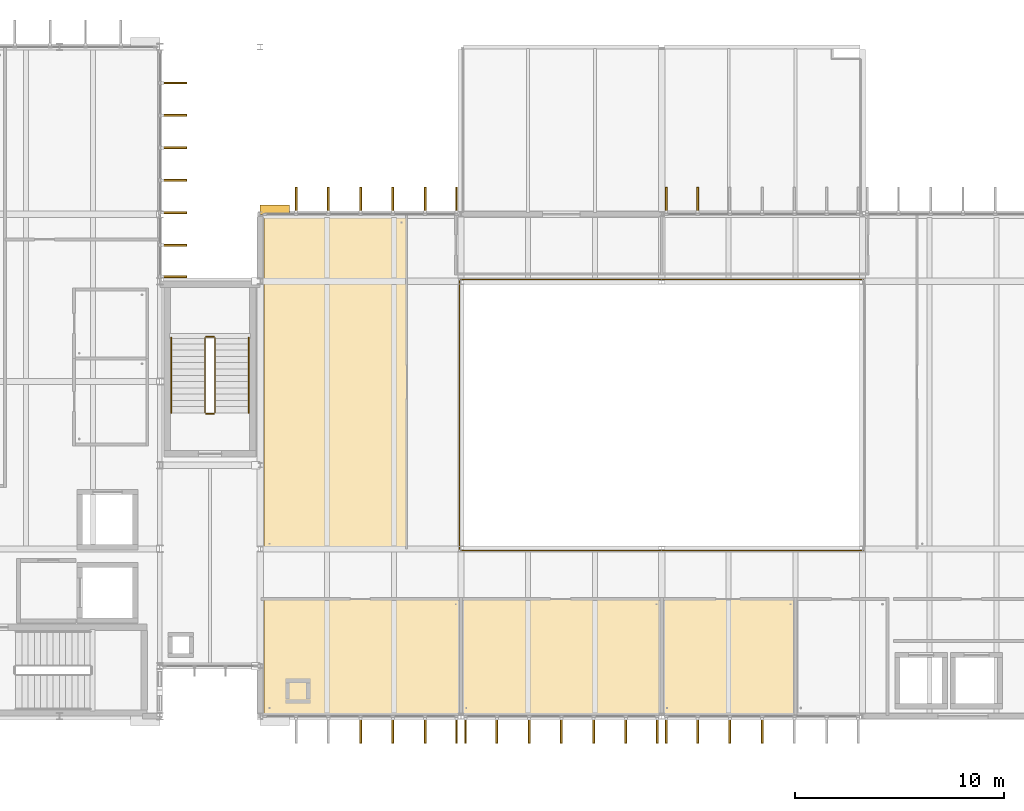
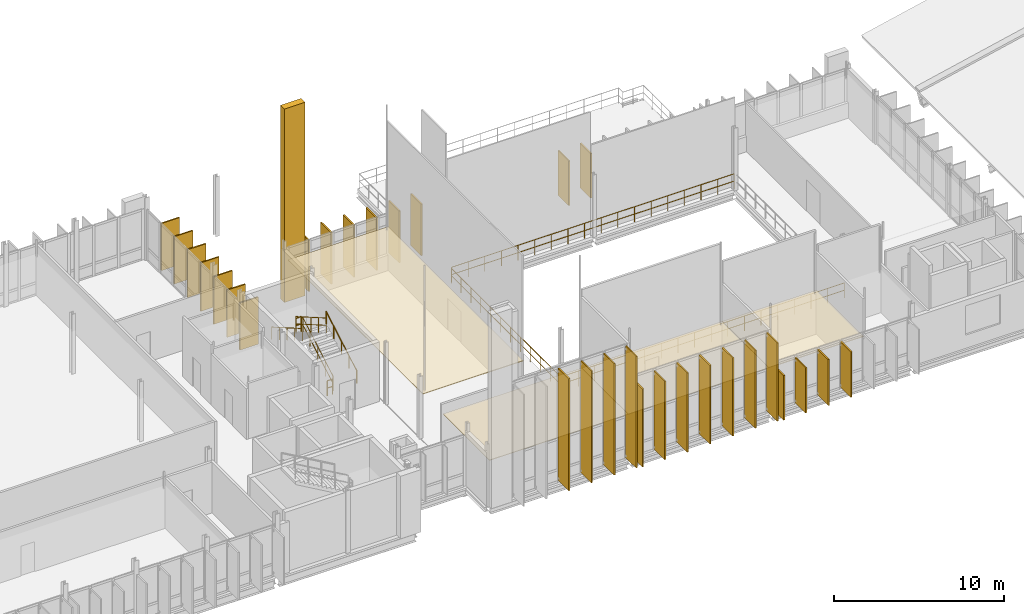
# One storey, part 39 of 41: 35 coverings, 9 railings.
"""IFC4 building model written with IfcOpenShell, lengths in metres."""

from ifc_helpers import new_model, si_unit, direction, frame, origin, origin_2d, place, context, subcontext, project, spatial, polyline, rectangle, circle, outline, extrude, material, layer, layer_set, type_object, element, save


model = new_model("IFC4")

# Units and contexts
model_context = context("Model", 3, precision=1e-05, world=origin(), true_north=direction((0.0, 1.0)))
body_context = subcontext(model_context, "Body", "Model", "MODEL_VIEW")
ifc_project = project(units=[si_unit("LENGTHUNIT", "METRE"), si_unit("AREAUNIT", "SQUARE_METRE"), si_unit("VOLUMEUNIT", "CUBIC_METRE"), si_unit("PLANEANGLEUNIT", "RADIAN"), si_unit("MASSUNIT", "GRAM", prefix="KILO")], contexts=[model_context])

# Site, building, storey
site_placement = place(None, origin())
site = spatial("IfcSite", under=ifc_project, at=site_placement, CompositionType="ELEMENT")
building_placement = place(site_placement, origin())
building = spatial("IfcBuilding", under=site, at=building_placement, Name="Dunescarp Central Library", CompositionType="ELEMENT")
storey_placement = place(building_placement, frame((0.0, 0.0, 23.10009765625)))
storey = spatial("IfcBuildingStorey", under=building, at=storey_placement, Name="L05", CompositionType="ELEMENT", Elevation=23.10009765625)

# Coverings
ifc_material_1 = material(Name="Perforated birch acoustic timber baffle", Category="wood")
ifc_layer_1 = layer(ifc_material_1, 0.050048828125)
ifc_layer_set_1 = layer_set([ifc_layer_1], Name="Perforated birch acoustic timber baffle")
covering_type_1 = type_object("IfcCoveringType", Name="ARC-COV-BAFFLE", PredefinedType="CEILING", material=ifc_layer_set_1)
covering_1_placement = place(storey_placement, frame((0.0, 0.0, 3.0498046875)))
element("IfcCovering", 1, at=covering_1_placement, inside=storey, type_object=covering_type_1, Name="L05 ceiling L05 Periodical Reading Alcove", PredefinedType="CEILING", context=body_context, shape_type="SweptSolid", body=[
    extrude(outline(polyline([(57.580078125, 4.919921875), (64.02001953125, 4.919921875), (64.02001953125, 10.419921875), (57.580078125, 10.419921875), (57.580078125, 4.919921875)])), origin(), (0.0, 0.0, 1.0), 0.050048828125),
])
covering_2_placement = place(storey_placement, frame((0.0, 0.0, 3.0498046875)))
element("IfcCovering", 2, at=covering_2_placement, inside=storey, type_object=covering_type_1, Name="L05 ceiling L05 West Stepped Reading Terrace", PredefinedType="CEILING", context=body_context, shape_type="SweptSolid", body=[
    extrude(outline(polyline([(38.580078125, 12.780029296875), (45.419921875, 12.780029296875), (45.419921875, 28.679931640625), (38.580078125, 28.679931640625), (38.580078125, 12.780029296875)])), origin(), (0.0, 0.0, 1.0), 0.050048828125),
])
ifc_material_2 = material(Name="Mineral-fibre acoustic ceiling tile")
ifc_layer_2 = layer(ifc_material_2, 0.0400390625)
ifc_layer_set_2 = layer_set([ifc_layer_2], Name="Mineral-fibre acoustic ceiling tile")
covering_type_2 = type_object("IfcCoveringType", Name="ARC-COV-CEIL40", PredefinedType="CEILING", material=ifc_layer_set_2)
covering_3_placement = place(storey_placement, frame((0.0, 0.0, 3.0498046875)))
element("IfcCovering", 3, at=covering_3_placement, inside=storey, type_object=covering_type_2, Name="L05 ceiling L05 Group Study Room A", PredefinedType="CEILING", context=body_context, shape_type="SweptSolid", body=[
    extrude(outline(polyline([(38.580078125, 4.919921875), (48.02001953125, 4.919921875), (48.02001953125, 10.419921875), (38.580078125, 10.419921875), (38.580078125, 4.919921875)])), origin(), (0.0, 0.0, 1.0), 0.0400390625),
])
covering_4_placement = place(storey_placement, frame((0.0, 0.0, 3.0498046875)))
element("IfcCovering", 4, at=covering_4_placement, inside=storey, type_object=covering_type_2, Name="L05 ceiling L05 Group Study Room B", PredefinedType="CEILING", context=body_context, shape_type="SweptSolid", body=[
    extrude(outline(polyline([(47.97998046875, 4.919921875), (57.6201171875, 4.919921875), (57.6201171875, 10.419921875), (47.97998046875, 10.419921875), (47.97998046875, 4.919921875)])), origin(), (0.0, 0.0, 1.0), 0.0400390625),
])
ifc_material_3 = material(Name="Glass-fibre reinforced concrete GRC", Category="concrete")
ifc_layer_3 = layer(ifc_material_3, 0.090087890625)
ifc_layer_set_3 = layer_set([ifc_layer_3], Name="Glass-fibre reinforced concrete GRC")
covering_type_3 = type_object("IfcCoveringType", Name="ARC-COV-FIN1250", PredefinedType="CLADDING", material=ifc_layer_set_3)
covering_5_placement = place(storey_placement, frame((34.261962890625, 35.074951171875, 0.180419921875), z_axis=(0.0, 0.0, 1.0), x_axis=(1.0, 0.0, 0.0)))
element("IfcCovering", 5, at=covering_5_placement, inside=storey, type_object=covering_type_3, Name="L05 parametric vertical facade fin FIN-L05-0260", PredefinedType="CLADDING", context=body_context, shape_type="SweptSolid", body=[
    extrude(rectangle(XDim=1.25, YDim=0.090087890625, at=origin_2d()), origin(), (0.0, 0.0, 1.0), 3.39306640625),
])
covering_6_placement = place(storey_placement, frame((34.261962890625, 33.52490234375, 0.16357421875), z_axis=(0.0, 0.0, 1.0), x_axis=(1.0, 0.0, 0.0)))
element("IfcCovering", 6, at=covering_6_placement, inside=storey, type_object=covering_type_3, Name="L05 parametric vertical facade fin FIN-L05-0261", PredefinedType="CLADDING", context=body_context, shape_type="SweptSolid", body=[
    extrude(rectangle(XDim=1.25, YDim=0.090087890625, at=origin_2d()), origin(), (0.0, 0.0, 1.0), 3.408935546875),
])
covering_7_placement = place(storey_placement, frame((34.261962890625, 31.97509765625, 0.123046875), z_axis=(0.0, 0.0, 1.0), x_axis=(1.0, 0.0, 0.0)))
element("IfcCovering", 7, at=covering_7_placement, inside=storey, type_object=covering_type_3, Name="L05 parametric vertical facade fin FIN-L05-0262", PredefinedType="CLADDING", context=body_context, shape_type="SweptSolid", body=[
    extrude(rectangle(XDim=1.25, YDim=0.090087890625, at=origin_2d()), origin(), (0.0, 0.0, 1.0), 3.449951171875),
])
covering_8_placement = place(storey_placement, frame((34.261962890625, 30.425048828125, 0.079833984375), z_axis=(0.0, 0.0, 1.0), x_axis=(1.0, 0.0, 0.0)))
element("IfcCovering", 8, at=covering_8_placement, inside=storey, type_object=covering_type_3, Name="L05 parametric vertical facade fin FIN-L05-0263", PredefinedType="CLADDING", context=body_context, shape_type="SweptSolid", body=[
    extrude(rectangle(XDim=1.25, YDim=0.090087890625, at=origin_2d()), origin(), (0.0, 0.0, 1.0), 3.48193359375),
])
covering_9_placement = place(storey_placement, frame((34.261962890625, 28.875, 0.080078125), z_axis=(0.0, 0.0, 1.0), x_axis=(1.0, 0.0, 0.0)))
element("IfcCovering", 9, at=covering_9_placement, inside=storey, type_object=covering_type_3, Name="L05 parametric vertical facade fin FIN-L05-0264", PredefinedType="CLADDING", context=body_context, shape_type="SweptSolid", body=[
    extrude(rectangle(XDim=1.25, YDim=0.090087890625, at=origin_2d()), origin(), (0.0, 0.0, 1.0), 3.431884765625),
])
covering_10_placement = place(storey_placement, frame((34.261962890625, 27.324951171875, 0.080322265625), z_axis=(0.0, 0.0, 1.0), x_axis=(1.0, 0.0, 0.0)))
element("IfcCovering", 10, at=covering_10_placement, inside=storey, type_object=covering_type_3, Name="L05 parametric vertical facade fin FIN-L05-0265", PredefinedType="CLADDING", context=body_context, shape_type="SweptSolid", body=[
    extrude(rectangle(XDim=1.25, YDim=0.090087890625, at=origin_2d()), origin(), (0.0, 0.0, 1.0), 3.39892578125),
])
covering_11_placement = place(storey_placement, frame((34.261962890625, 25.81494140625, 0.079345703125), z_axis=(0.0, 0.0, 1.0), x_axis=(1.0, 0.0, 0.0)))
element("IfcCovering", 11, at=covering_11_placement, inside=storey, type_object=covering_type_3, Name="L05 parametric vertical facade fin FIN-L05-0266", PredefinedType="CLADDING", context=body_context, shape_type="SweptSolid", body=[
    extrude(rectangle(XDim=1.25, YDim=0.090087890625, at=origin_2d()), origin(), (0.0, 0.0, 1.0), 3.39501953125),
])
covering_12_placement = place(storey_placement, frame((47.784912109375, 4.137939453125, 0.1669921875), z_axis=(0.0, 0.0, 1.0), x_axis=(0.0, -1.0, 0.0)))
element("IfcCovering", 12, at=covering_12_placement, inside=storey, type_object=covering_type_3, Name="L05 parametric vertical facade fin FIN-L05-0510", PredefinedType="CLADDING", context=body_context, shape_type="SweptSolid", body=[
    extrude(rectangle(XDim=1.25, YDim=0.090087890625, at=origin_2d()), origin(), (0.0, 0.0, 1.0), 8.02587890625),
])
covering_13_placement = place(storey_placement, frame((46.282958984375, 4.137939453125, 0.1806640625), z_axis=(0.0, 0.0, 1.0), x_axis=(0.0, -1.0, 0.0)))
element("IfcCovering", 13, at=covering_13_placement, inside=storey, type_object=covering_type_3, Name="L05 parametric vertical facade fin FIN-L05-0511", PredefinedType="CLADDING", context=body_context, shape_type="SweptSolid", body=[
    extrude(rectangle(XDim=1.25, YDim=0.090087890625, at=origin_2d()), origin(), (0.0, 0.0, 1.0), 8.012939453125),
])
covering_14_placement = place(storey_placement, frame((44.741943359375, 4.137939453125, 0.16455078125), z_axis=(0.0, 0.0, 1.0), x_axis=(0.0, -1.0, 0.0)))
element("IfcCovering", 14, at=covering_14_placement, inside=storey, type_object=covering_type_3, Name="L05 parametric vertical facade fin FIN-L05-0512", PredefinedType="CLADDING", context=body_context, shape_type="SweptSolid", body=[
    extrude(rectangle(XDim=1.25, YDim=0.090087890625, at=origin_2d()), origin(), (0.0, 0.0, 1.0), 8.029052734375),
])
covering_15_placement = place(storey_placement, frame((43.199951171875, 4.137939453125, 0.123046875), z_axis=(0.0, 0.0, 1.0), x_axis=(0.0, -1.0, 0.0)))
element("IfcCovering", 15, at=covering_15_placement, inside=storey, type_object=covering_type_3, Name="L05 parametric vertical facade fin FIN-L05-0513", PredefinedType="CLADDING", context=body_context, shape_type="SweptSolid", body=[
    extrude(rectangle(XDim=1.25, YDim=0.090087890625, at=origin_2d()), origin(), (0.0, 0.0, 1.0), 8.070068359375),
])
covering_16_placement = place(storey_placement, frame((57.385009765625, 4.137939453125, 0.1669921875), z_axis=(0.0, 0.0, 1.0), x_axis=(0.0, -1.0, 0.0)))
element("IfcCovering", 16, at=covering_16_placement, inside=storey, type_object=covering_type_3, Name="L05 parametric vertical facade fin FIN-L05-0516", PredefinedType="CLADDING", context=body_context, shape_type="SweptSolid", body=[
    extrude(rectangle(XDim=1.25, YDim=0.090087890625, at=origin_2d()), origin(), (0.0, 0.0, 1.0), 5.6259765625),
])
covering_17_placement = place(storey_placement, frame((55.883056640625, 4.137939453125, 0.18017578125), z_axis=(0.0, 0.0, 1.0), x_axis=(0.0, -1.0, 0.0)))
element("IfcCovering", 17, at=covering_17_placement, inside=storey, type_object=covering_type_3, Name="L05 parametric vertical facade fin FIN-L05-0517", PredefinedType="CLADDING", context=body_context, shape_type="SweptSolid", body=[
    extrude(rectangle(XDim=1.25, YDim=0.090087890625, at=origin_2d()), origin(), (0.0, 0.0, 1.0), 5.613037109375),
])
covering_18_placement = place(storey_placement, frame((54.342041015625, 4.137939453125, 0.163330078125), z_axis=(0.0, 0.0, 1.0), x_axis=(0.0, -1.0, 0.0)))
element("IfcCovering", 18, at=covering_18_placement, inside=storey, type_object=covering_type_3, Name="L05 parametric vertical facade fin FIN-L05-0518", PredefinedType="CLADDING", context=body_context, shape_type="SweptSolid", body=[
    extrude(rectangle(XDim=1.25, YDim=0.090087890625, at=origin_2d()), origin(), (0.0, 0.0, 1.0), 5.62890625),
])
covering_19_placement = place(storey_placement, frame((52.800048828125, 4.137939453125, 0.123046875), z_axis=(0.0, 0.0, 1.0), x_axis=(0.0, -1.0, 0.0)))
element("IfcCovering", 19, at=covering_19_placement, inside=storey, type_object=covering_type_3, Name="L05 parametric vertical facade fin FIN-L05-0519", PredefinedType="CLADDING", context=body_context, shape_type="SweptSolid", body=[
    extrude(rectangle(XDim=1.25, YDim=0.090087890625, at=origin_2d()), origin(), (0.0, 0.0, 1.0), 5.669921875),
])
covering_20_placement = place(storey_placement, frame((51.258056640625, 4.137939453125, 0.080078125), z_axis=(0.0, 0.0, 1.0), x_axis=(0.0, -1.0, 0.0)))
element("IfcCovering", 20, at=covering_20_placement, inside=storey, type_object=covering_type_3, Name="L05 parametric vertical facade fin FIN-L05-0520", PredefinedType="CLADDING", context=body_context, shape_type="SweptSolid", body=[
    extrude(rectangle(XDim=1.25, YDim=0.090087890625, at=origin_2d()), origin(), (0.0, 0.0, 1.0), 5.701904296875),
])
covering_21_placement = place(storey_placement, frame((49.717041015625, 4.137939453125, 0.080078125), z_axis=(0.0, 0.0, 1.0), x_axis=(0.0, -1.0, 0.0)))
element("IfcCovering", 21, at=covering_21_placement, inside=storey, type_object=covering_type_3, Name="L05 parametric vertical facade fin FIN-L05-0521", PredefinedType="CLADDING", context=body_context, shape_type="SweptSolid", body=[
    extrude(rectangle(XDim=1.25, YDim=0.090087890625, at=origin_2d()), origin(), (0.0, 0.0, 1.0), 5.652099609375),
])
covering_22_placement = place(storey_placement, frame((48.215087890625, 4.137939453125, 0.07958984375), z_axis=(0.0, 0.0, 1.0), x_axis=(0.0, -1.0, 0.0)))
element("IfcCovering", 22, at=covering_22_placement, inside=storey, type_object=covering_type_3, Name="L05 parametric vertical facade fin FIN-L05-0522", PredefinedType="CLADDING", context=body_context, shape_type="SweptSolid", body=[
    extrude(rectangle(XDim=1.25, YDim=0.090087890625, at=origin_2d()), origin(), (0.0, 0.0, 1.0), 5.618896484375),
])
covering_23_placement = place(storey_placement, frame((62.39990234375, 4.137939453125, 0.122802734375), z_axis=(0.0, 0.0, 1.0), x_axis=(0.0, -1.0, 0.0)))
element("IfcCovering", 23, at=covering_23_placement, inside=storey, type_object=covering_type_3, Name="L05 parametric vertical facade fin FIN-L05-0526", PredefinedType="CLADDING", context=body_context, shape_type="SweptSolid", body=[
    extrude(rectangle(XDim=1.25, YDim=0.090087890625, at=origin_2d()), origin(), (0.0, 0.0, 1.0), 3.27001953125),
])
covering_24_placement = place(storey_placement, frame((60.85791015625, 4.137939453125, 0.080078125), z_axis=(0.0, 0.0, 1.0), x_axis=(0.0, -1.0, 0.0)))
element("IfcCovering", 24, at=covering_24_placement, inside=storey, type_object=covering_type_3, Name="L05 parametric vertical facade fin FIN-L05-0527", PredefinedType="CLADDING", context=body_context, shape_type="SweptSolid", body=[
    extrude(rectangle(XDim=1.25, YDim=0.090087890625, at=origin_2d()), origin(), (0.0, 0.0, 1.0), 3.302001953125),
])
covering_25_placement = place(storey_placement, frame((59.31689453125, 4.137939453125, 0.079833984375), z_axis=(0.0, 0.0, 1.0), x_axis=(0.0, -1.0, 0.0)))
element("IfcCovering", 25, at=covering_25_placement, inside=storey, type_object=covering_type_3, Name="L05 parametric vertical facade fin FIN-L05-0528", PredefinedType="CLADDING", context=body_context, shape_type="SweptSolid", body=[
    extrude(rectangle(XDim=1.25, YDim=0.090087890625, at=origin_2d()), origin(), (0.0, 0.0, 1.0), 3.251953125),
])
covering_26_placement = place(storey_placement, frame((57.81494140625, 4.137939453125, 0.08056640625), z_axis=(0.0, 0.0, 1.0), x_axis=(0.0, -1.0, 0.0)))
element("IfcCovering", 26, at=covering_26_placement, inside=storey, type_object=covering_type_3, Name="L05 parametric vertical facade fin FIN-L05-0529", PredefinedType="CLADDING", context=body_context, shape_type="SweptSolid", body=[
    extrude(rectangle(XDim=1.25, YDim=0.090087890625, at=origin_2d()), origin(), (0.0, 0.0, 1.0), 3.218994140625),
])
covering_27_placement = place(storey_placement, frame((40.116943359375, 29.4619140625, 0.18017578125), z_axis=(0.0, 0.0, 1.0), x_axis=(0.0, 1.0, 0.0)))
element("IfcCovering", 27, at=covering_27_placement, inside=storey, type_object=covering_type_3, Name="L05 parametric vertical facade fin FIN-L05-0530", PredefinedType="CLADDING", context=body_context, shape_type="SweptSolid", body=[
    extrude(rectangle(XDim=1.25, YDim=0.090087890625, at=origin_2d()), origin(), (0.0, 0.0, 1.0), 3.695068359375),
])
covering_28_placement = place(storey_placement, frame((41.657958984375, 29.4619140625, 0.16455078125), z_axis=(0.0, 0.0, 1.0), x_axis=(0.0, 1.0, 0.0)))
element("IfcCovering", 28, at=covering_28_placement, inside=storey, type_object=covering_type_3, Name="L05 parametric vertical facade fin FIN-L05-0531", PredefinedType="CLADDING", context=body_context, shape_type="SweptSolid", body=[
    extrude(rectangle(XDim=1.25, YDim=0.090087890625, at=origin_2d()), origin(), (0.0, 0.0, 1.0), 3.7109375),
])
covering_29_placement = place(storey_placement, frame((43.199951171875, 29.4619140625, 0.123046875), z_axis=(0.0, 0.0, 1.0), x_axis=(0.0, 1.0, 0.0)))
element("IfcCovering", 29, at=covering_29_placement, inside=storey, type_object=covering_type_3, Name="L05 parametric vertical facade fin FIN-L05-0532", PredefinedType="CLADDING", context=body_context, shape_type="SweptSolid", body=[
    extrude(rectangle(XDim=1.25, YDim=0.090087890625, at=origin_2d()), origin(), (0.0, 0.0, 1.0), 3.751953125),
])
covering_30_placement = place(storey_placement, frame((44.741943359375, 29.4619140625, 0.080078125), z_axis=(0.0, 0.0, 1.0), x_axis=(0.0, 1.0, 0.0)))
element("IfcCovering", 30, at=covering_30_placement, inside=storey, type_object=covering_type_3, Name="L05 parametric vertical facade fin FIN-L05-0533", PredefinedType="CLADDING", context=body_context, shape_type="SweptSolid", body=[
    extrude(rectangle(XDim=1.25, YDim=0.090087890625, at=origin_2d()), origin(), (0.0, 0.0, 1.0), 3.783935546875),
])
covering_31_placement = place(storey_placement, frame((46.282958984375, 29.4619140625, 0.080078125), z_axis=(0.0, 0.0, 1.0), x_axis=(0.0, 1.0, 0.0)))
element("IfcCovering", 31, at=covering_31_placement, inside=storey, type_object=covering_type_3, Name="L05 parametric vertical facade fin FIN-L05-0534", PredefinedType="CLADDING", context=body_context, shape_type="SweptSolid", body=[
    extrude(rectangle(XDim=1.25, YDim=0.090087890625, at=origin_2d()), origin(), (0.0, 0.0, 1.0), 3.73388671875),
])
covering_32_placement = place(storey_placement, frame((47.784912109375, 29.4619140625, 0.07958984375), z_axis=(0.0, 0.0, 1.0), x_axis=(0.0, 1.0, 0.0)))
element("IfcCovering", 32, at=covering_32_placement, inside=storey, type_object=covering_type_3, Name="L05 parametric vertical facade fin FIN-L05-0535", PredefinedType="CLADDING", context=body_context, shape_type="SweptSolid", body=[
    extrude(rectangle(XDim=1.25, YDim=0.090087890625, at=origin_2d()), origin(), (0.0, 0.0, 1.0), 3.700927734375),
])
covering_33_placement = place(storey_placement, frame((57.81494140625, 29.4619140625, 0.16748046875), z_axis=(0.0, 0.0, 1.0), x_axis=(0.0, 1.0, 0.0)))
element("IfcCovering", 33, at=covering_33_placement, inside=storey, type_object=covering_type_3, Name="L05 parametric vertical facade fin FIN-L05-0536", PredefinedType="CLADDING", context=body_context, shape_type="SweptSolid", body=[
    extrude(rectangle(XDim=1.25, YDim=0.090087890625, at=origin_2d()), origin(), (0.0, 0.0, 1.0), 3.218994140625),
])
covering_34_placement = place(storey_placement, frame((59.31689453125, 29.4619140625, 0.179931640625), z_axis=(0.0, 0.0, 1.0), x_axis=(0.0, 1.0, 0.0)))
element("IfcCovering", 34, at=covering_34_placement, inside=storey, type_object=covering_type_3, Name="L05 parametric vertical facade fin FIN-L05-0537", PredefinedType="CLADDING", context=body_context, shape_type="SweptSolid", body=[
    extrude(rectangle(XDim=1.25, YDim=0.090087890625, at=origin_2d()), origin(), (0.0, 0.0, 1.0), 3.2060546875),
])
ifc_layer_4 = layer(ifc_material_3, 0.449951171875)
ifc_layer_set_4 = layer_set([ifc_layer_4], Name="Glass-fibre reinforced concrete GRC")
covering_type_4 = type_object("IfcCoveringType", Name="ARC-COV-PORTAL", PredefinedType="CLADDING", material=ifc_layer_set_4)
covering_35_placement = place(storey_placement, frame((39.10009765625, 29.02001953125, -0.00048828125), z_axis=(0.0, 0.0, 1.0), x_axis=(1.0, 0.0, 0.0)))
element("IfcCovering", 35, at=covering_35_placement, inside=storey, type_object=covering_type_4, Name="V2 sculpted GRC portal pier PRT-BAND-V2-022", PredefinedType="CLADDING", context=body_context, shape_type="SweptSolid", body=[
    extrude(rectangle(XDim=1.39990234375, YDim=0.449951171875, at=origin_2d()), origin(), (0.0, 0.0, 1.0), 13.925048828125),
])

# Railings
ifc_material_4 = material(Name="Stainless steel Grade 316L", Category="steel")
railing_type_1 = type_object("IfcRailingType", Name="ARC-RL-GUARD", PredefinedType="GUARDRAIL", material=ifc_material_4)
railing_1_placement = place(storey_placement, frame((36.22998046875, 19.300048828125, 0.173095703125)))
element("IfcRailing", 36, at=railing_1_placement, inside=storey, type_object=railing_type_1, Name="L05 ST-2 stair guard 1", PredefinedType="GUARDRAIL", context=body_context, shape_type="SweptSolid", body=[
    extrude(circle(Radius=0.02392578125, at=origin_2d()), frame((0.0, 0.0, 1.076171875), z_axis=(0.0, 0.866178740119, 0.499734319579), x_axis=(-1.0, 0.0, 0.0)), (0.0, 0.0, 1.0), 4.156005859375),
    extrude(circle(Radius=0.02392578125, at=origin_2d()), frame((0.0, 0.0, 0.550048828125), z_axis=(0.0, 0.866178740119, 0.499734319579), x_axis=(-1.0, 0.0, 0.0)), (0.0, 0.0, 1.0), 4.156005859375),
    extrude(circle(Radius=0.02099609375, at=origin_2d()), origin(), (0.0, 0.0, 1.0), 1.052001953125),
    extrude(circle(Radius=0.02099609375, at=origin_2d()), frame((0.0, 0.89990234375, 0.519287109375)), (0.0, 0.0, 1.0), 1.052001953125),
    extrude(circle(Radius=0.02099609375, at=origin_2d()), frame((0.0, 1.7998046875, 1.03857421875)), (0.0, 0.0, 1.0), 1.052001953125),
    extrude(circle(Radius=0.02099609375, at=origin_2d()), frame((0.0, 2.699951171875, 1.5576171875)), (0.0, 0.0, 1.0), 1.052001953125),
    extrude(circle(Radius=0.02099609375, at=origin_2d()), frame((0.0, 3.599853515625, 2.076904296875)), (0.0, 0.0, 1.0), 1.052001953125),
])
railing_2_placement = place(storey_placement, frame((36.179931640625, 22.949951171875, 2.25)))
element("IfcRailing", 37, at=railing_2_placement, inside=storey, type_object=railing_type_1, Name="L05 ST-2 stair guard 2", PredefinedType="GUARDRAIL", context=body_context, shape_type="SweptSolid", body=[
    extrude(circle(Radius=0.02392578125, at=origin_2d()), frame((0.0, 0.0, 1.076171875), z_axis=(-1.0, 0.0, 0.0), x_axis=(0.0, -1.0, 0.0)), (0.0, 0.0, 1.0), 0.35986328125),
    extrude(circle(Radius=0.02392578125, at=origin_2d()), frame((0.0, 0.0, 0.550048828125), z_axis=(-1.0, 0.0, 0.0), x_axis=(0.0, -1.0, 0.0)), (0.0, 0.0, 1.0), 0.35986328125),
    extrude(circle(Radius=0.02099609375, at=origin_2d()), origin(), (0.0, 0.0, 1.0), 1.052001953125),
    extrude(circle(Radius=0.02099609375, at=origin_2d()), frame((-0.35986328125, 0.0, 0.0)), (0.0, 0.0, 1.0), 1.052001953125),
])
railing_3_placement = place(storey_placement, frame((35.77001953125, 22.89990234375, 2.423095703125)))
element("IfcRailing", 38, at=railing_3_placement, inside=storey, type_object=railing_type_1, Name="L05 ST-2 stair guard 3", PredefinedType="GUARDRAIL", context=body_context, shape_type="SweptSolid", body=[
    extrude(circle(Radius=0.02392578125, at=origin_2d()), frame((0.0, 0.0, 1.076171875), z_axis=(0.0, -0.866178740119, 0.499734319579), x_axis=(1.0, 0.0, 0.0)), (0.0, 0.0, 1.0), 4.156005859375),
    extrude(circle(Radius=0.02392578125, at=origin_2d()), frame((0.0, 0.0, 0.550048828125), z_axis=(0.0, -0.866178740119, 0.499734319579), x_axis=(1.0, 0.0, 0.0)), (0.0, 0.0, 1.0), 4.156005859375),
    extrude(circle(Radius=0.02099609375, at=origin_2d()), origin(), (0.0, 0.0, 1.0), 1.052001953125),
    extrude(circle(Radius=0.02099609375, at=origin_2d()), frame((0.0, -0.89990234375, 0.519287109375)), (0.0, 0.0, 1.0), 1.052001953125),
    extrude(circle(Radius=0.02099609375, at=origin_2d()), frame((0.0, -1.7998046875, 1.03857421875)), (0.0, 0.0, 1.0), 1.052001953125),
    extrude(circle(Radius=0.02099609375, at=origin_2d()), frame((0.0, -2.699951171875, 1.5576171875)), (0.0, 0.0, 1.0), 1.052001953125),
    extrude(circle(Radius=0.02099609375, at=origin_2d()), frame((0.0, -3.599853515625, 2.076904296875)), (0.0, 0.0, 1.0), 1.052001953125),
])
railing_4_placement = place(storey_placement, frame((36.179931640625, 19.25, 0.0)))
element("IfcRailing", 39, at=railing_4_placement, inside=storey, type_object=railing_type_1, Name="L05 ST-2 stair guard 4", PredefinedType="GUARDRAIL", context=body_context, shape_type="SweptSolid", body=[
    extrude(circle(Radius=0.02392578125, at=origin_2d()), frame((0.0, 0.0, 1.076171875), z_axis=(-1.0, 0.0, 0.0), x_axis=(0.0, -1.0, 0.0)), (0.0, 0.0, 1.0), 0.35986328125),
    extrude(circle(Radius=0.02392578125, at=origin_2d()), frame((0.0, 0.0, 0.550048828125), z_axis=(-1.0, 0.0, 0.0), x_axis=(0.0, -1.0, 0.0)), (0.0, 0.0, 1.0), 0.35986328125),
    extrude(circle(Radius=0.02099609375, at=origin_2d()), origin(), (0.0, 0.0, 1.0), 1.052001953125),
    extrude(circle(Radius=0.02099609375, at=origin_2d()), frame((-0.35986328125, 0.0, 0.0)), (0.0, 0.0, 1.0), 1.052001953125),
])
railing_5_placement = place(storey_placement, frame((47.97998046875, 12.719970703125, 0.0)))
element("IfcRailing", 40, at=railing_5_placement, inside=storey, type_object=railing_type_1, Name="L05 void guardrail GRD-ATR-L05-S", PredefinedType="GUARDRAIL", context=body_context, shape_type="SweptSolid", body=[
    extrude(circle(Radius=0.02392578125, at=origin_2d()), frame((0.0, 0.0, 1.076171875), z_axis=(1.0, 0.0, 0.0), x_axis=(0.0, 1.0, 0.0)), (0.0, 0.0, 1.0), 19.239990234375),
    extrude(circle(Radius=0.02392578125, at=origin_2d()), frame((0.0, 0.0, 0.550048828125), z_axis=(1.0, 0.0, 0.0), x_axis=(0.0, 1.0, 0.0)), (0.0, 0.0, 1.0), 19.239990234375),
    extrude(circle(Radius=0.02099609375, at=origin_2d()), origin(), (0.0, 0.0, 1.0), 1.052001953125),
    extrude(circle(Radius=0.02099609375, at=origin_2d()), frame((1.1318359375, 0.0, 0.0)), (0.0, 0.0, 1.0), 1.052001953125),
    extrude(circle(Radius=0.02099609375, at=origin_2d()), frame((2.263427734375, 0.0, 0.0)), (0.0, 0.0, 1.0), 1.052001953125),
    extrude(circle(Radius=0.02099609375, at=origin_2d()), frame((3.395263671875, 0.0, 0.0)), (0.0, 0.0, 1.0), 1.052001953125),
    extrude(circle(Radius=0.02099609375, at=origin_2d()), frame((4.527099609375, 0.0, 0.0)), (0.0, 0.0, 1.0), 1.052001953125),
    extrude(circle(Radius=0.02099609375, at=origin_2d()), frame((5.658935546875, 0.0, 0.0)), (0.0, 0.0, 1.0), 1.052001953125),
    extrude(circle(Radius=0.02099609375, at=origin_2d()), frame((6.79052734375, 0.0, 0.0)), (0.0, 0.0, 1.0), 1.052001953125),
    extrude(circle(Radius=0.02099609375, at=origin_2d()), frame((7.92236328125, 0.0, 0.0)), (0.0, 0.0, 1.0), 1.052001953125),
    extrude(circle(Radius=0.02099609375, at=origin_2d()), frame((9.05419921875, 0.0, 0.0)), (0.0, 0.0, 1.0), 1.052001953125),
    extrude(circle(Radius=0.02099609375, at=origin_2d()), frame((10.185791015625, 0.0, 0.0)), (0.0, 0.0, 1.0), 1.052001953125),
    extrude(circle(Radius=0.02099609375, at=origin_2d()), frame((11.317626953125, 0.0, 0.0)), (0.0, 0.0, 1.0), 1.052001953125),
    extrude(circle(Radius=0.02099609375, at=origin_2d()), frame((12.449462890625, 0.0, 0.0)), (0.0, 0.0, 1.0), 1.052001953125),
    extrude(circle(Radius=0.02099609375, at=origin_2d()), frame((13.5810546875, 0.0, 0.0)), (0.0, 0.0, 1.0), 1.052001953125),
    extrude(circle(Radius=0.02099609375, at=origin_2d()), frame((14.712890625, 0.0, 0.0)), (0.0, 0.0, 1.0), 1.052001953125),
    extrude(circle(Radius=0.02099609375, at=origin_2d()), frame((15.8447265625, 0.0, 0.0)), (0.0, 0.0, 1.0), 1.052001953125),
    extrude(circle(Radius=0.02099609375, at=origin_2d()), frame((16.9765625, 0.0, 0.0)), (0.0, 0.0, 1.0), 1.052001953125),
    extrude(circle(Radius=0.02099609375, at=origin_2d()), frame((18.108154296875, 0.0, 0.0)), (0.0, 0.0, 1.0), 1.052001953125),
    extrude(circle(Radius=0.02099609375, at=origin_2d()), frame((19.239990234375, 0.0, 0.0)), (0.0, 0.0, 1.0), 1.052001953125),
])
railing_6_placement = place(storey_placement, frame((67.219970703125, 25.679931640625, 0.0)))
element("IfcRailing", 41, at=railing_6_placement, inside=storey, type_object=railing_type_1, Name="L05 void guardrail GRD-ATR-L05-N", PredefinedType="GUARDRAIL", context=body_context, shape_type="SweptSolid", body=[
    extrude(circle(Radius=0.02392578125, at=origin_2d()), frame((0.0, 0.0, 1.076171875), z_axis=(-1.0, 0.0, 0.0), x_axis=(0.0, -1.0, 0.0)), (0.0, 0.0, 1.0), 19.239990234375),
    extrude(circle(Radius=0.02392578125, at=origin_2d()), frame((0.0, 0.0, 0.550048828125), z_axis=(-1.0, 0.0, 0.0), x_axis=(0.0, -1.0, 0.0)), (0.0, 0.0, 1.0), 19.239990234375),
    extrude(circle(Radius=0.02099609375, at=origin_2d()), origin(), (0.0, 0.0, 1.0), 1.052001953125),
    extrude(circle(Radius=0.02099609375, at=origin_2d()), frame((-1.1318359375, 0.0, 0.0)), (0.0, 0.0, 1.0), 1.052001953125),
    extrude(circle(Radius=0.02099609375, at=origin_2d()), frame((-2.263427734375, 0.0, 0.0)), (0.0, 0.0, 1.0), 1.052001953125),
    extrude(circle(Radius=0.02099609375, at=origin_2d()), frame((-3.395263671875, 0.0, 0.0)), (0.0, 0.0, 1.0), 1.052001953125),
    extrude(circle(Radius=0.02099609375, at=origin_2d()), frame((-4.527099609375, 0.0, 0.0)), (0.0, 0.0, 1.0), 1.052001953125),
    extrude(circle(Radius=0.02099609375, at=origin_2d()), frame((-5.658935546875, 0.0, 0.0)), (0.0, 0.0, 1.0), 1.052001953125),
    extrude(circle(Radius=0.02099609375, at=origin_2d()), frame((-6.79052734375, 0.0, 0.0)), (0.0, 0.0, 1.0), 1.052001953125),
    extrude(circle(Radius=0.02099609375, at=origin_2d()), frame((-7.92236328125, 0.0, 0.0)), (0.0, 0.0, 1.0), 1.052001953125),
    extrude(circle(Radius=0.02099609375, at=origin_2d()), frame((-9.05419921875, 0.0, 0.0)), (0.0, 0.0, 1.0), 1.052001953125),
    extrude(circle(Radius=0.02099609375, at=origin_2d()), frame((-10.185791015625, 0.0, 0.0)), (0.0, 0.0, 1.0), 1.052001953125),
    extrude(circle(Radius=0.02099609375, at=origin_2d()), frame((-11.317626953125, 0.0, 0.0)), (0.0, 0.0, 1.0), 1.052001953125),
    extrude(circle(Radius=0.02099609375, at=origin_2d()), frame((-12.449462890625, 0.0, 0.0)), (0.0, 0.0, 1.0), 1.052001953125),
    extrude(circle(Radius=0.02099609375, at=origin_2d()), frame((-13.5810546875, 0.0, 0.0)), (0.0, 0.0, 1.0), 1.052001953125),
    extrude(circle(Radius=0.02099609375, at=origin_2d()), frame((-14.712890625, 0.0, 0.0)), (0.0, 0.0, 1.0), 1.052001953125),
    extrude(circle(Radius=0.02099609375, at=origin_2d()), frame((-15.8447265625, 0.0, 0.0)), (0.0, 0.0, 1.0), 1.052001953125),
    extrude(circle(Radius=0.02099609375, at=origin_2d()), frame((-16.9765625, 0.0, 0.0)), (0.0, 0.0, 1.0), 1.052001953125),
    extrude(circle(Radius=0.02099609375, at=origin_2d()), frame((-18.108154296875, 0.0, 0.0)), (0.0, 0.0, 1.0), 1.052001953125),
    extrude(circle(Radius=0.02099609375, at=origin_2d()), frame((-19.239990234375, 0.0, 0.0)), (0.0, 0.0, 1.0), 1.052001953125),
])
railing_7_placement = place(storey_placement, frame((47.919921875, 25.6201171875, 0.0)))
element("IfcRailing", 42, at=railing_7_placement, inside=storey, type_object=railing_type_1, Name="L05 void guardrail GRD-ATR-L05-W", PredefinedType="GUARDRAIL", context=body_context, shape_type="SweptSolid", body=[
    extrude(circle(Radius=0.02392578125, at=origin_2d()), frame((0.0, 0.0, 1.076171875), z_axis=(0.0, -1.0, 0.0), x_axis=(1.0, 0.0, 0.0)), (0.0, 0.0, 1.0), 12.840087890625),
    extrude(circle(Radius=0.02392578125, at=origin_2d()), frame((0.0, 0.0, 0.550048828125), z_axis=(0.0, -1.0, 0.0), x_axis=(1.0, 0.0, 0.0)), (0.0, 0.0, 1.0), 12.840087890625),
    extrude(circle(Radius=0.02099609375, at=origin_2d()), origin(), (0.0, 0.0, 1.0), 1.052001953125),
    extrude(circle(Radius=0.02099609375, at=origin_2d()), frame((0.0, -1.167236328125, 0.0)), (0.0, 0.0, 1.0), 1.052001953125),
    extrude(circle(Radius=0.02099609375, at=origin_2d()), frame((0.0, -2.33447265625, 0.0)), (0.0, 0.0, 1.0), 1.052001953125),
    extrude(circle(Radius=0.02099609375, at=origin_2d()), frame((0.0, -3.501953125, 0.0)), (0.0, 0.0, 1.0), 1.052001953125),
    extrude(circle(Radius=0.02099609375, at=origin_2d()), frame((0.0, -4.669189453125, 0.0)), (0.0, 0.0, 1.0), 1.052001953125),
    extrude(circle(Radius=0.02099609375, at=origin_2d()), frame((0.0, -5.83642578125, 0.0)), (0.0, 0.0, 1.0), 1.052001953125),
    extrude(circle(Radius=0.02099609375, at=origin_2d()), frame((0.0, -7.003662109375, 0.0)), (0.0, 0.0, 1.0), 1.052001953125),
    extrude(circle(Radius=0.02099609375, at=origin_2d()), frame((0.0, -8.1708984375, 0.0)), (0.0, 0.0, 1.0), 1.052001953125),
    extrude(circle(Radius=0.02099609375, at=origin_2d()), frame((0.0, -9.338134765625, 0.0)), (0.0, 0.0, 1.0), 1.052001953125),
    extrude(circle(Radius=0.02099609375, at=origin_2d()), frame((0.0, -10.505615234375, 0.0)), (0.0, 0.0, 1.0), 1.052001953125),
    extrude(circle(Radius=0.02099609375, at=origin_2d()), frame((0.0, -11.6728515625, 0.0)), (0.0, 0.0, 1.0), 1.052001953125),
    extrude(circle(Radius=0.02099609375, at=origin_2d()), frame((0.0, -12.840087890625, 0.0)), (0.0, 0.0, 1.0), 1.052001953125),
])
railing_type_2 = type_object("IfcRailingType", Name="ARC-RL-HAND", PredefinedType="HANDRAIL", material=ifc_material_4)
railing_8_placement = place(storey_placement, frame((37.85009765625, 19.300048828125, 0.173095703125)))
element("IfcRailing", 43, at=railing_8_placement, inside=storey, type_object=railing_type_2, Name="L05 ST-2 stair handrail 1", PredefinedType="HANDRAIL", context=body_context, shape_type="SweptSolid", body=[
    extrude(circle(Radius=0.02392578125, at=origin_2d()), frame((0.0, 0.0, 0.8857421875), z_axis=(0.0, 0.866178740119, 0.499734319579), x_axis=(-1.0, 0.0, 0.0)), (0.0, 0.0, 1.0), 4.156005859375),
    extrude(circle(Radius=0.02099609375, at=origin_2d()), origin(), (0.0, 0.0, 1.0), 0.86181640625),
    extrude(circle(Radius=0.02099609375, at=origin_2d()), frame((0.0, 0.89990234375, 0.519287109375)), (0.0, 0.0, 1.0), 0.86181640625),
    extrude(circle(Radius=0.02099609375, at=origin_2d()), frame((0.0, 1.7998046875, 1.03857421875)), (0.0, 0.0, 1.0), 0.86181640625),
    extrude(circle(Radius=0.02099609375, at=origin_2d()), frame((0.0, 2.699951171875, 1.5576171875)), (0.0, 0.0, 1.0), 0.86181640625),
    extrude(circle(Radius=0.02099609375, at=origin_2d()), frame((0.0, 3.599853515625, 2.076904296875)), (0.0, 0.0, 1.0), 0.86181640625),
])
railing_9_placement = place(storey_placement, frame((34.14990234375, 22.89990234375, 2.423095703125)))
element("IfcRailing", 44, at=railing_9_placement, inside=storey, type_object=railing_type_2, Name="L05 ST-2 stair handrail 2", PredefinedType="HANDRAIL", context=body_context, shape_type="SweptSolid", body=[
    extrude(circle(Radius=0.02392578125, at=origin_2d()), frame((0.0, 0.0, 0.8857421875), z_axis=(0.0, -0.866178740119, 0.499734319579), x_axis=(1.0, 0.0, 0.0)), (0.0, 0.0, 1.0), 4.156005859375),
    extrude(circle(Radius=0.02099609375, at=origin_2d()), origin(), (0.0, 0.0, 1.0), 0.86181640625),
    extrude(circle(Radius=0.02099609375, at=origin_2d()), frame((0.0, -0.89990234375, 0.519287109375)), (0.0, 0.0, 1.0), 0.86181640625),
    extrude(circle(Radius=0.02099609375, at=origin_2d()), frame((0.0, -1.7998046875, 1.03857421875)), (0.0, 0.0, 1.0), 0.86181640625),
    extrude(circle(Radius=0.02099609375, at=origin_2d()), frame((0.0, -2.699951171875, 1.5576171875)), (0.0, 0.0, 1.0), 0.86181640625),
    extrude(circle(Radius=0.02099609375, at=origin_2d()), frame((0.0, -3.599853515625, 2.076904296875)), (0.0, 0.0, 1.0), 0.86181640625),
])

save(model, "model.ifc")
